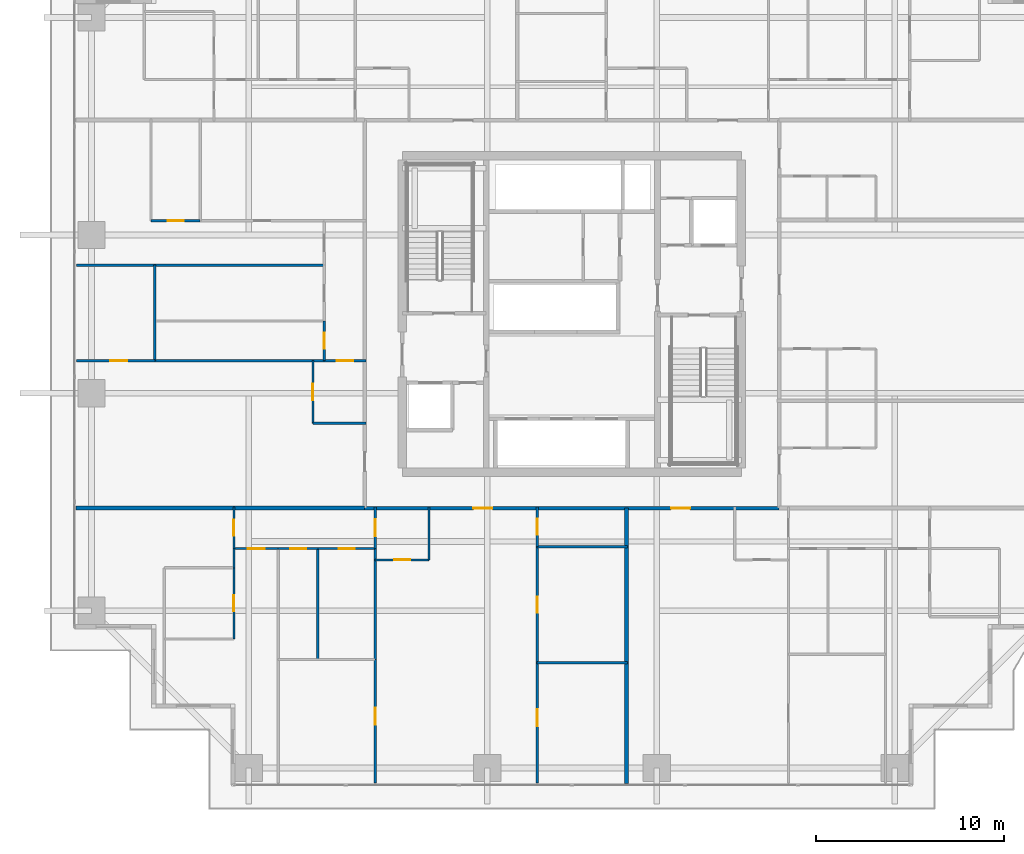
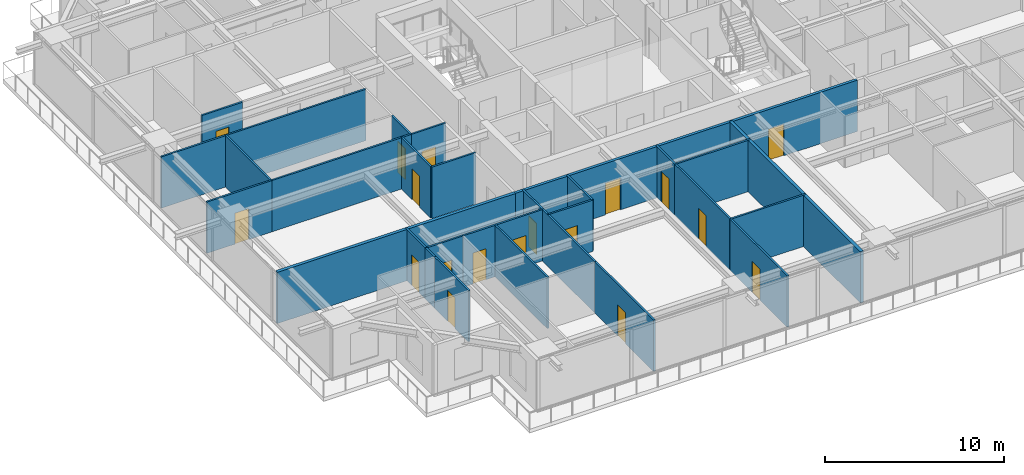
# One storey, part 27 of 38: 29 walls, 18 doors, 18 openings.
"""IFC4 building model written with IfcOpenShell, lengths in metres."""

from ifc_helpers import new_model, si_unit, direction, frame, frame_2d, origin, place, context, subcontext, project, spatial, rectangle, extrude, source, transform, mapped, material, layer, layer_set, type_object, element, fill, save


model = new_model("IFC4")

# Units and contexts
model_context = context("Model", 3, precision=1e-05, world=origin(), true_north=direction((0.0, 1.0)))
body_context = subcontext(model_context, "Body", "Model", "MODEL_VIEW")
ifc_project = project(units=[si_unit("LENGTHUNIT", "METRE"), si_unit("AREAUNIT", "SQUARE_METRE"), si_unit("VOLUMEUNIT", "CUBIC_METRE"), si_unit("PLANEANGLEUNIT", "RADIAN"), si_unit("MASSUNIT", "GRAM", prefix="KILO")], contexts=[model_context])

# Site, building, storey
site_placement = place(None, origin())
site = spatial("IfcSite", under=ifc_project, at=site_placement, CompositionType="ELEMENT")
building_placement = place(site_placement, origin())
building = spatial("IfcBuilding", under=site, at=building_placement, Name="Serunith Strait Residences", CompositionType="ELEMENT")
storey_placement = place(building_placement, frame((0.0, 0.0, 82.949951171875)))
storey = spatial("IfcBuildingStorey", under=building, at=storey_placement, Name="L20", CompositionType="ELEMENT", Elevation=82.949951171875)

# Wall, openings, doors
ifc_material_1 = material(Name="Fire-rated acoustic gypsum partition")
ifc_layer_1 = layer(ifc_material_1, 0.179931640625, Name="Fire-rated acoustic gypsum partition")
ifc_layer_set_1 = layer_set([ifc_layer_1], Name="Fire-rated acoustic gypsum partition")
wall_type_1 = type_object("IfcWallType", Name="IW-CORR-180", PredefinedType="PARTITIONING", material=ifc_layer_set_1)
wall_1_placement = place(storey_placement, frame((21.402099609375, 14.89990234375, 0.0), z_axis=(0.0, 0.0, 1.0), x_axis=(1.0, 0.0, 0.0)))
wall_1 = element("IfcWall", 1, at=wall_1_placement, inside=storey, type_object=wall_type_1, Name="L20 Partition Wall 023", PredefinedType="PARTITIONING", context=body_context, shape_type="SweptSolid", body=[
    extrude(rectangle(XDim=21.995849609375, YDim=0.179931640625, at=frame_2d((10.998046875, 0.0))), origin(), (0.0, 0.0, 1.0), 3.489990234375),
])
opening_1_placement = place(wall_1_placement, frame((5.77392578125, 0.0, 0.0)))
opening_1 = element("IfcOpeningElement", 2, at=opening_1_placement, cuts=wall_1, Name="Opening D-APT1000", PredefinedType="OPENING", context=body_context, shape_type="SweptSolid", body=[
    extrude(rectangle(XDim=1.0, YDim=2.14990234375, at=frame_2d((0.5, 1.074951171875))), frame((0.0, 0.10009765625, 0.0), z_axis=(0.0, -1.0, 0.0), x_axis=(1.0, 0.0, 0.0)), (0.0, 0.0, 1.0), 0.199951171875),
])
opening_2_placement = place(wall_1_placement, frame((16.27197265625, 0.0, 0.0)))
opening_2 = element("IfcOpeningElement", 3, at=opening_2_placement, cuts=wall_1, Name="Opening D-APT1000", PredefinedType="OPENING", context=body_context, shape_type="SweptSolid", body=[
    extrude(rectangle(XDim=1.0, YDim=2.14990234375, at=frame_2d((0.5, 1.074951171875))), frame((0.0, 0.10009765625, 0.0), z_axis=(0.0, -1.0, 0.0), x_axis=(1.0, 0.0, 0.0)), (0.0, 0.0, 1.0), 0.199951171875),
])
ifc_material_2 = material(Name="Solid timber engineered fire door", Category="wood")
door_type_1 = type_object("IfcDoorType", Name="ID-APT-1000", OperationType="NOTDEFINED", PredefinedType="DOOR", material=ifc_material_2)
shared_shape_1 = source(origin(), body_context, "Body", "SweptSolid", [
    extrude(rectangle(XDim=1.0, YDim=2.14990234375, at=frame_2d((0.5, 1.074951171875))), frame((0.0, 0.02490234375, 0.0), z_axis=(0.0, -1.0, 0.0), x_axis=(1.0, 0.0, 0.0)), (0.0, 0.0, 1.0), 0.050048828125),
])
door_1_placement = place(opening_1_placement, origin())
door_1 = element("IfcDoor", 4, at=door_1_placement, inside=storey, type_object=door_type_1, Name="L20 Unit 01 Entrance Door", OperationType="SINGLE_SWING_LEFT", OverallHeight=2.14990234375, OverallWidth=1.0, PredefinedType="DOOR", context=body_context, shape_type="MappedRepresentation", body=[
    mapped(shared_shape_1, transform((0.0, 0.0, 0.0), scale=1.0)),
])
fill(opening_1, door_1)
door_2_placement = place(opening_2_placement, origin())
door_2 = element("IfcDoor", 5, at=door_2_placement, inside=storey, type_object=door_type_1, Name="L20 Unit 02 Entrance Door", OperationType="SINGLE_SWING_RIGHT", OverallHeight=2.14990234375, OverallWidth=1.0, PredefinedType="DOOR", context=body_context, shape_type="MappedRepresentation", body=[
    mapped(shared_shape_1, transform((0.0, 0.0, 0.0), scale=1.0)),
])
fill(opening_2, door_2)

# Wall, opening, door
ifc_material_3 = material(Name="Lightweight steel-stud gypsum partition", Category="steel")
ifc_layer_2 = layer(ifc_material_3, 0.1201171875, Name="Lightweight steel-stud gypsum partition")
ifc_layer_set_2 = layer_set([ifc_layer_2], Name="Lightweight steel-stud gypsum partition")
wall_type_2 = type_object("IfcWallType", Name="IW-PART-120", PredefinedType="PARTITIONING", material=ifc_layer_set_2)
wall_2_placement = place(storey_placement, frame((21.9599609375, 12.14990234375, 0.0), z_axis=(0.0, 0.0, 1.0), x_axis=(1.0, 0.0, 0.0)))
wall_2 = element("IfcWall", 6, at=wall_2_placement, inside=storey, type_object=wall_type_2, Name="L20 Partition Wall 027", PredefinedType="PARTITIONING", context=body_context, shape_type="SweptSolid", body=[
    extrude(rectangle(XDim=2.85009765625, YDim=0.1201171875, at=frame_2d((1.425048828125, 0.0))), origin(), (0.0, 0.0, 1.0), 3.489990234375),
])
opening_3_placement = place(wall_2_placement, frame((1.0, 0.0, 0.0)))
opening_3 = element("IfcOpeningElement", 7, at=opening_3_placement, cuts=wall_2, Name="Opening D-RM850", PredefinedType="OPENING", context=body_context, shape_type="SweptSolid", body=[
    extrude(rectangle(XDim=0.85009765625, YDim=2.10009765625, at=frame_2d((0.425048828125, 1.050048828125))), frame((0.0, 0.070068359375, 0.0), z_axis=(0.0, -1.0, 0.0), x_axis=(1.0, 0.0, 0.0)), (0.0, 0.0, 1.0), 0.14013671875),
])
ifc_material_4 = material(Name="Engineered timber flush study and kitchen door", Category="wood")
door_type_2 = type_object("IfcDoorType", Name="ID-ROOM-850", OperationType="NOTDEFINED", PredefinedType="DOOR", material=ifc_material_4)
shared_shape_2 = source(origin(), body_context, "Body", "SweptSolid", [
    extrude(rectangle(XDim=0.85009765625, YDim=2.10009765625, at=frame_2d((0.425048828125, 1.050048828125))), frame((0.0, 0.02490234375, 0.0), z_axis=(0.0, -1.0, 0.0), x_axis=(1.0, 0.0, 0.0)), (0.0, 0.0, 1.0), 0.050048828125),
])
door_3_placement = place(opening_3_placement, origin())
door_3 = element("IfcDoor", 8, at=door_3_placement, inside=storey, type_object=door_type_2, Name="L20 Kitchen 2001 Door", OperationType="SINGLE_SWING_LEFT", OverallHeight=2.10009765625, OverallWidth=0.85009765625, PredefinedType="DOOR", context=body_context, shape_type="MappedRepresentation", body=[
    mapped(shared_shape_2, transform((0.0, 0.0, 0.0), scale=1.0)),
])
fill(opening_3, door_3)

# Wall
wall_3_placement = place(storey_placement, frame((24.81005859375, 12.14990234375, 0.0), z_axis=(0.0, 0.0, 1.0), x_axis=(0.0, 1.0, 0.0)))
element("IfcWall", 9, at=wall_3_placement, inside=storey, type_object=wall_type_2, Name="L20 Partition Wall 028", PredefinedType="PARTITIONING", context=body_context, shape_type="SweptSolid", body=[
    extrude(rectangle(XDim=2.81005859375, YDim=0.1201171875, at=frame_2d((1.405029296875, 0.0))), origin(), (0.0, 0.0, 1.0), 3.489990234375),
])

# Wall, opening, door
wall_4_placement = place(storey_placement, frame((21.9599609375, 12.75, 0.0), z_axis=(0.0, 0.0, 1.0), x_axis=(0.0, 1.0, 0.0)))
wall_4 = element("IfcWall", 10, at=wall_4_placement, inside=storey, type_object=wall_type_2, Name="L20 Partition Wall 029", PredefinedType="PARTITIONING", context=body_context, shape_type="SweptSolid", body=[
    extrude(rectangle(XDim=2.2099609375, YDim=0.1201171875, at=frame_2d((1.10498046875, 0.0))), origin(), (0.0, 0.0, 1.0), 3.489990234375),
])
opening_4_placement = place(wall_4_placement, frame((0.655029296875, 0.0, 0.0)))
opening_4 = element("IfcOpeningElement", 11, at=opening_4_placement, cuts=wall_4, Name="Opening D-RM900", PredefinedType="OPENING", context=body_context, shape_type="SweptSolid", body=[
    extrude(rectangle(XDim=0.89990234375, YDim=2.10009765625, at=frame_2d((0.449951171875, 1.050048828125))), frame((0.0, 0.070068359375, 0.0), z_axis=(0.0, -1.0, 0.0), x_axis=(1.0, 0.0, 0.0)), (0.0, 0.0, 1.0), 0.14013671875),
])
ifc_material_5 = material(Name="Engineered timber flush bedroom door", Category="wood")
door_type_3 = type_object("IfcDoorType", Name="ID-ROOM-900", OperationType="NOTDEFINED", PredefinedType="DOOR", material=ifc_material_5)
shared_shape_3 = source(origin(), body_context, "Body", "SweptSolid", [
    extrude(rectangle(XDim=0.89990234375, YDim=2.10009765625, at=frame_2d((0.449951171875, 1.050048828125))), frame((0.0, 0.02490234375, 0.0), z_axis=(0.0, -1.0, 0.0), x_axis=(1.0, 0.0, 0.0)), (0.0, 0.0, 1.0), 0.050048828125),
])
door_4_placement = place(opening_4_placement, origin())
door_4 = element("IfcDoor", 12, at=door_4_placement, inside=storey, type_object=door_type_3, Name="L20 Hall W 2001 Door", OperationType="SINGLE_SWING_RIGHT", OverallHeight=2.10009765625, OverallWidth=0.89990234375, PredefinedType="DOOR", context=body_context, shape_type="MappedRepresentation", body=[
    mapped(shared_shape_3, transform((0.0, 0.0, 0.0), scale=1.0)),
])
fill(opening_4, door_4)

wall_5_placement = place(storey_placement, frame((21.9599609375, 0.294921875, 0.0), z_axis=(0.0, 0.0, 1.0), x_axis=(0.0, 1.0, 0.0)))
wall_5 = element("IfcWall", 13, at=wall_5_placement, inside=storey, type_object=wall_type_2, Name="L20 Partition Wall 030", PredefinedType="PARTITIONING", context=body_context, shape_type="SweptSolid", body=[
    extrude(rectangle(XDim=6.565185546875, YDim=0.1201171875, at=frame_2d((3.28271484375, 0.0))), origin(), (0.0, 0.0, 1.0), 3.489990234375),
])
opening_5_placement = place(wall_5_placement, frame((3.115966796875, 0.0, 0.0)))
opening_5 = element("IfcOpeningElement", 14, at=opening_5_placement, cuts=wall_5, Name="Opening D-RM900", PredefinedType="OPENING", context=body_context, shape_type="SweptSolid", body=[
    extrude(rectangle(XDim=0.89990234375, YDim=2.10009765625, at=frame_2d((0.449951171875, 1.050048828125))), frame((0.0, 0.070068359375, 0.0), z_axis=(0.0, -1.0, 0.0), x_axis=(1.0, 0.0, 0.0)), (0.0, 0.0, 1.0), 0.14013671875),
])
door_5_placement = place(opening_5_placement, origin())
door_5 = element("IfcDoor", 15, at=door_5_placement, inside=storey, type_object=door_type_3, Name="L20 Formal Dining Room 1 2001 Door", OperationType="SINGLE_SWING_LEFT", OverallHeight=2.10009765625, OverallWidth=0.89990234375, PredefinedType="DOOR", context=body_context, shape_type="MappedRepresentation", body=[
    mapped(shared_shape_3, transform((0.0, 0.0, 0.0), scale=1.0)),
])
fill(opening_5, door_5)

# Walls
wall_6_placement = place(storey_placement, frame((21.9599609375, 6.862060546875, 0.0), z_axis=(0.0, 0.0, 1.0), x_axis=(0.0, 1.0, 0.0)))
element("IfcWall", 16, at=wall_6_placement, inside=storey, type_object=wall_type_2, Name="L20 Partition Wall 031", PredefinedType="PARTITIONING", context=body_context, shape_type="SweptSolid", body=[
    extrude(rectangle(XDim=5.885986328125, YDim=0.1201171875, at=frame_2d((2.94287109375, 0.0))), origin(), (0.0, 0.0, 1.0), 3.489990234375),
])
wall_7_placement = place(storey_placement, frame((18.909912109375, 6.860107421875, 0.0), z_axis=(0.0, 0.0, 1.0), x_axis=(0.0, 1.0, 0.0)))
element("IfcWall", 17, at=wall_7_placement, inside=storey, type_object=wall_type_2, Name="L20 Partition Wall 034", PredefinedType="PARTITIONING", context=body_context, shape_type="SweptSolid", body=[
    extrude(rectangle(XDim=5.889892578125, YDim=0.1201171875, at=frame_2d((2.94482421875, 0.0))), origin(), (0.0, 0.0, 1.0), 3.489990234375),
])

# Wall, opening, door
wall_8_placement = place(storey_placement, frame((16.81005859375, 12.75, 0.0), z_axis=(0.0, 0.0, 1.0), x_axis=(1.0, 0.0, 0.0)))
wall_8 = element("IfcWall", 18, at=wall_8_placement, inside=storey, type_object=wall_type_2, Name="L20 Partition Wall 035", PredefinedType="PARTITIONING", context=body_context, shape_type="SweptSolid", body=[
    extrude(rectangle(XDim=2.099853515625, YDim=0.1201171875, at=frame_2d((1.0498046875, 0.0))), origin(), (0.0, 0.0, 1.0), 3.489990234375),
])
opening_6_placement = place(wall_8_placement, frame((0.625, 0.0, 0.0)))
opening_6 = element("IfcOpeningElement", 19, at=opening_6_placement, cuts=wall_8, Name="Opening D-BTH850", PredefinedType="OPENING", context=body_context, shape_type="SweptSolid", body=[
    extrude(rectangle(XDim=0.85009765625, YDim=2.10009765625, at=frame_2d((0.425048828125, 1.050048828125))), frame((0.0, 0.070068359375, 0.0), z_axis=(0.0, -1.0, 0.0), x_axis=(1.0, 0.0, 0.0)), (0.0, 0.0, 1.0), 0.14013671875),
])
ifc_material_6 = material(Name="Moisture-resistant timber bathroom door", Category="wood")
door_type_4 = type_object("IfcDoorType", Name="ID-BATH-850", OperationType="NOTDEFINED", PredefinedType="DOOR", material=ifc_material_6)
door_6_placement = place(opening_6_placement, origin())
door_6 = element("IfcDoor", 20, at=door_6_placement, inside=storey, type_object=door_type_4, Name="L20 Bathroom 2001 Door", OperationType="SINGLE_SWING_RIGHT", OverallHeight=2.10009765625, OverallWidth=0.85009765625, PredefinedType="DOOR", context=body_context, shape_type="MappedRepresentation", body=[
    mapped(shared_shape_2, transform((0.0, 0.0, 0.0), scale=1.0)),
])
fill(opening_6, door_6)

wall_9_placement = place(storey_placement, frame((18.912109375, 12.75, 0.0), z_axis=(0.0, 0.0, 1.0), x_axis=(1.0, 0.0, 0.0)))
wall_9 = element("IfcWall", 21, at=wall_9_placement, inside=storey, type_object=wall_type_2, Name="L20 Partition Wall 036", PredefinedType="PARTITIONING", context=body_context, shape_type="SweptSolid", body=[
    extrude(rectangle(XDim=3.0478515625, YDim=0.1201171875, at=frame_2d((1.52392578125, 0.0))), origin(), (0.0, 0.0, 1.0), 3.489990234375),
])
opening_7_placement = place(wall_9_placement, frame((1.09912109375, 0.0, 0.0)))
opening_7 = element("IfcOpeningElement", 22, at=opening_7_placement, cuts=wall_9, Name="Opening D-RM850", PredefinedType="OPENING", context=body_context, shape_type="SweptSolid", body=[
    extrude(rectangle(XDim=0.85009765625, YDim=2.10009765625, at=frame_2d((0.425048828125, 1.050048828125))), frame((0.0, 0.070068359375, 0.0), z_axis=(0.0, -1.0, 0.0), x_axis=(1.0, 0.0, 0.0)), (0.0, 0.0, 1.0), 0.14013671875),
])
door_7_placement = place(opening_7_placement, origin())
door_7 = element("IfcDoor", 23, at=door_7_placement, inside=storey, type_object=door_type_2, Name="L20 Formal Dining Room 2001 Door", OperationType="SINGLE_SWING_LEFT", OverallHeight=2.10009765625, OverallWidth=0.85009765625, PredefinedType="DOOR", context=body_context, shape_type="MappedRepresentation", body=[
    mapped(shared_shape_2, transform((0.0, 0.0, 0.0), scale=1.0)),
])
fill(opening_7, door_7)

wall_10_placement = place(storey_placement, frame((14.4599609375, 12.75, 0.0), z_axis=(0.0, 0.0, 1.0), x_axis=(1.0, 0.0, 0.0)))
wall_10 = element("IfcWall", 24, at=wall_10_placement, inside=storey, type_object=wall_type_2, Name="L20 Partition Wall 037", PredefinedType="PARTITIONING", context=body_context, shape_type="SweptSolid", body=[
    extrude(rectangle(XDim=2.34814453125, YDim=0.1201171875, at=frame_2d((1.174072265625, 0.0))), origin(), (0.0, 0.0, 1.0), 3.489990234375),
])
opening_8_placement = place(wall_10_placement, frame((0.72412109375, 0.0, 0.0)))
opening_8 = element("IfcOpeningElement", 25, at=opening_8_placement, cuts=wall_10, Name="Opening D-RM900", PredefinedType="OPENING", context=body_context, shape_type="SweptSolid", body=[
    extrude(rectangle(XDim=0.89990234375, YDim=2.10009765625, at=frame_2d((0.449951171875, 1.050048828125))), frame((0.0, 0.070068359375, 0.0), z_axis=(0.0, -1.0, 0.0), x_axis=(1.0, 0.0, 0.0)), (0.0, 0.0, 1.0), 0.14013671875),
])
door_8_placement = place(opening_8_placement, origin())
door_8 = element("IfcDoor", 26, at=door_8_placement, inside=storey, type_object=door_type_3, Name="L20 Master Bedroom W 2001 Door", OperationType="SINGLE_SWING_RIGHT", OverallHeight=2.10009765625, OverallWidth=0.89990234375, PredefinedType="DOOR", context=body_context, shape_type="MappedRepresentation", body=[
    mapped(shared_shape_3, transform((0.0, 0.0, 0.0), scale=1.0)),
])
fill(opening_8, door_8)

wall_11_placement = place(storey_placement, frame((14.4599609375, 7.947998046875, 0.0), z_axis=(0.0, 0.0, 1.0), x_axis=(0.0, 1.0, 0.0)))
wall_11 = element("IfcWall", 27, at=wall_11_placement, inside=storey, type_object=wall_type_2, Name="L20 Partition Wall 041", PredefinedType="PARTITIONING", context=body_context, shape_type="SweptSolid", body=[
    extrude(rectangle(XDim=3.783935546875, YDim=0.1201171875, at=frame_2d((1.89208984375, 0.0))), origin(), (0.0, 0.0, 1.0), 3.489990234375),
])
opening_9_placement = place(wall_11_placement, frame((1.467041015625, 0.0, 0.0)))
opening_9 = element("IfcOpeningElement", 28, at=opening_9_placement, cuts=wall_11, Name="Opening D-BTH850", PredefinedType="OPENING", context=body_context, shape_type="SweptSolid", body=[
    extrude(rectangle(XDim=0.85009765625, YDim=2.10009765625, at=frame_2d((0.425048828125, 1.050048828125))), frame((0.0, 0.070068359375, 0.0), z_axis=(0.0, -1.0, 0.0), x_axis=(1.0, 0.0, 0.0)), (0.0, 0.0, 1.0), 0.14013671875),
])
door_9_placement = place(opening_9_placement, origin())
door_9 = element("IfcDoor", 29, at=door_9_placement, inside=storey, type_object=door_type_4, Name="L20 En-suite Bathroom W 2001 Door", OperationType="SINGLE_SWING_LEFT", OverallHeight=2.10009765625, OverallWidth=0.85009765625, PredefinedType="DOOR", context=body_context, shape_type="MappedRepresentation", body=[
    mapped(shared_shape_2, transform((0.0, 0.0, 0.0), scale=1.0)),
])
fill(opening_9, door_9)

# Wall
wall_12_placement = place(storey_placement, frame((14.4599609375, 11.73388671875, 0.0), z_axis=(0.0, 0.0, 1.0), x_axis=(0.0, 1.0, 0.0)))
element("IfcWall", 30, at=wall_12_placement, inside=storey, type_object=wall_type_2, Name="L20 Partition Wall 042", PredefinedType="PARTITIONING", context=body_context, shape_type="SweptSolid", body=[
    extrude(rectangle(XDim=1.01611328125, YDim=0.1201171875, at=frame_2d((0.508056640625, 0.0))), origin(), (0.0, 0.0, 1.0), 3.489990234375),
])

# Wall, opening, door
wall_13_placement = place(storey_placement, frame((14.4599609375, 12.751953125, 0.0), z_axis=(0.0, 0.0, 1.0), x_axis=(0.0, 1.0, 0.0)))
wall_13 = element("IfcWall", 31, at=wall_13_placement, inside=storey, type_object=wall_type_2, Name="L20 Partition Wall 043", PredefinedType="PARTITIONING", context=body_context, shape_type="SweptSolid", body=[
    extrude(rectangle(XDim=2.2080078125, YDim=0.1201171875, at=frame_2d((1.10400390625, 0.0))), origin(), (0.0, 0.0, 1.0), 3.489990234375),
])
opening_10_placement = place(wall_13_placement, frame((0.678955078125, 0.0, 0.0)))
opening_10 = element("IfcOpeningElement", 32, at=opening_10_placement, cuts=wall_13, Name="Opening D-RM850", PredefinedType="OPENING", context=body_context, shape_type="SweptSolid", body=[
    extrude(rectangle(XDim=0.85009765625, YDim=2.10009765625, at=frame_2d((0.425048828125, 1.050048828125))), frame((0.0, 0.070068359375, 0.0), z_axis=(0.0, -1.0, 0.0), x_axis=(1.0, 0.0, 0.0)), (0.0, 0.0, 1.0), 0.14013671875),
])
door_10_placement = place(opening_10_placement, origin())
door_10 = element("IfcDoor", 33, at=door_10_placement, inside=storey, type_object=door_type_2, Name="L20 Wardrobe W 2001 Door", OperationType="SINGLE_SWING_RIGHT", OverallHeight=2.10009765625, OverallWidth=0.85009765625, PredefinedType="DOOR", context=body_context, shape_type="MappedRepresentation", body=[
    mapped(shared_shape_2, transform((0.0, 0.0, 0.0), scale=1.0)),
])
fill(opening_10, door_10)

wall_14_placement = place(storey_placement, frame((30.56005859375, 0.294921875, 0.0), z_axis=(0.0, 0.0, 1.0), x_axis=(0.0, 1.0, 0.0)))
wall_14 = element("IfcWall", 34, at=wall_14_placement, inside=storey, type_object=wall_type_2, Name="L20 Partition Wall 044", PredefinedType="PARTITIONING", context=body_context, shape_type="SweptSolid", body=[
    extrude(rectangle(XDim=6.39697265625, YDim=0.1201171875, at=frame_2d((3.198486328125, 0.0))), origin(), (0.0, 0.0, 1.0), 3.489990234375),
])
opening_11_placement = place(wall_14_placement, frame((3.02294921875, 0.0, 0.0)))
opening_11 = element("IfcOpeningElement", 35, at=opening_11_placement, cuts=wall_14, Name="Opening D-RM900", PredefinedType="OPENING", context=body_context, shape_type="SweptSolid", body=[
    extrude(rectangle(XDim=0.89990234375, YDim=2.10009765625, at=frame_2d((0.449951171875, 1.050048828125))), frame((0.0, 0.070068359375, 0.0), z_axis=(0.0, -1.0, 0.0), x_axis=(1.0, 0.0, 0.0)), (0.0, 0.0, 1.0), 0.14013671875),
])
door_11_placement = place(opening_11_placement, origin())
door_11 = element("IfcDoor", 36, at=door_11_placement, inside=storey, type_object=door_type_3, Name="L20 Bedroom 3 2001 Door", OperationType="SINGLE_SWING_LEFT", OverallHeight=2.10009765625, OverallWidth=0.89990234375, PredefinedType="DOOR", context=body_context, shape_type="MappedRepresentation", body=[
    mapped(shared_shape_3, transform((0.0, 0.0, 0.0), scale=1.0)),
])
fill(opening_11, door_11)

# Walls
for number, where, z_axis, x_axis, name in (
    (37, (30.56005859375, 6.69189453125, 0.0), (0.0, 0.0, 1.0), (1.0, 0.0, 0.0), "L20 Partition Wall 045"),
    (38, (30.56005859375, 12.85009765625, 0.0), (0.0, 0.0, 1.0), (1.0, 0.0, 0.0), "L20 Partition Wall 046"),
):
    element("IfcWall", number, at=place(storey_placement, frame(where, z_axis=z_axis, x_axis=x_axis)), inside=storey, type_object=wall_type_2, Name=name, PredefinedType="PARTITIONING", context=body_context, shape_type="SweptSolid", body=[
        extrude(rectangle(XDim=4.800048828125, YDim=0.1201171875, at=frame_2d((2.39990234375, 0.0))), origin(), (0.0, 0.0, 1.0), 3.489990234375),
    ])

# Wall, opening, door
wall_15_placement = place(storey_placement, frame((30.56005859375, 6.694091796875, 0.0), z_axis=(0.0, 0.0, 1.0), x_axis=(0.0, 1.0, 0.0)))
wall_15 = element("IfcWall", 39, at=wall_15_placement, inside=storey, type_object=wall_type_2, Name="L20 Partition Wall 047", PredefinedType="PARTITIONING", context=body_context, shape_type="SweptSolid", body=[
    extrude(rectangle(XDim=6.156005859375, YDim=0.1201171875, at=frame_2d((3.078125, 0.0))), origin(), (0.0, 0.0, 1.0), 3.489990234375),
])
opening_12_placement = place(wall_15_placement, frame((2.653076171875, 0.0, 0.0)))
opening_12 = element("IfcOpeningElement", 40, at=opening_12_placement, cuts=wall_15, Name="Opening D-RM850", PredefinedType="OPENING", context=body_context, shape_type="SweptSolid", body=[
    extrude(rectangle(XDim=0.85009765625, YDim=2.10009765625, at=frame_2d((0.425048828125, 1.050048828125))), frame((0.0, 0.070068359375, 0.0), z_axis=(0.0, -1.0, 0.0), x_axis=(1.0, 0.0, 0.0)), (0.0, 0.0, 1.0), 0.14013671875),
])
door_12_placement = place(opening_12_placement, origin())
door_12 = element("IfcDoor", 41, at=door_12_placement, inside=storey, type_object=door_type_2, Name="L20 Walk-in Wardrobe 2001 Door", OperationType="SINGLE_SWING_RIGHT", OverallHeight=2.10009765625, OverallWidth=0.85009765625, PredefinedType="DOOR", context=body_context, shape_type="MappedRepresentation", body=[
    mapped(shared_shape_2, transform((0.0, 0.0, 0.0), scale=1.0)),
])
fill(opening_12, door_12)

wall_16_placement = place(storey_placement, frame((30.56005859375, 12.85205078125, 0.0), z_axis=(0.0, 0.0, 1.0), x_axis=(0.0, 1.0, 0.0)))
wall_16 = element("IfcWall", 42, at=wall_16_placement, inside=storey, type_object=wall_type_2, Name="L20 Partition Wall 048", PredefinedType="PARTITIONING", context=body_context, shape_type="SweptSolid", body=[
    extrude(rectangle(XDim=2.10791015625, YDim=0.1201171875, at=frame_2d((1.053955078125, 0.0))), origin(), (0.0, 0.0, 1.0), 3.489990234375),
])
opening_13_placement = place(wall_16_placement, frame((0.62890625, 0.0, 0.0)))
opening_13 = element("IfcOpeningElement", 43, at=opening_13_placement, cuts=wall_16, Name="Opening D-BTH850", PredefinedType="OPENING", context=body_context, shape_type="SweptSolid", body=[
    extrude(rectangle(XDim=0.85009765625, YDim=2.10009765625, at=frame_2d((0.425048828125, 1.050048828125))), frame((0.0, 0.070068359375, 0.0), z_axis=(0.0, -1.0, 0.0), x_axis=(1.0, 0.0, 0.0)), (0.0, 0.0, 1.0), 0.14013671875),
])
door_13_placement = place(opening_13_placement, origin())
door_13 = element("IfcDoor", 44, at=door_13_placement, inside=storey, type_object=door_type_4, Name="L20 Bathroom 2001 Door", OperationType="SINGLE_SWING_LEFT", OverallHeight=2.10009765625, OverallWidth=0.85009765625, PredefinedType="DOOR", context=body_context, shape_type="MappedRepresentation", body=[
    mapped(shared_shape_2, transform((0.0, 0.0, 0.0), scale=1.0)),
])
fill(opening_13, door_13)

wall_17_placement = place(storey_placement, frame((18.64990234375, 19.39990234375, 0.0), z_axis=(0.0, 0.0, 1.0), x_axis=(0.0, 1.0, 0.0)))
wall_17 = element("IfcWall", 45, at=wall_17_placement, inside=storey, type_object=wall_type_2, Name="L20 Partition Wall 103", PredefinedType="PARTITIONING", context=body_context, shape_type="SweptSolid", body=[
    extrude(rectangle(XDim=3.330078125, YDim=0.1201171875, at=frame_2d((1.6650390625, 0.0))), origin(), (0.0, 0.0, 1.0), 3.489990234375),
])
opening_14_placement = place(wall_17_placement, frame((1.239990234375, 0.0, 0.0)))
opening_14 = element("IfcOpeningElement", 46, at=opening_14_placement, cuts=wall_17, Name="Opening D-RM850", PredefinedType="OPENING", context=body_context, shape_type="SweptSolid", body=[
    extrude(rectangle(XDim=0.85009765625, YDim=2.10009765625, at=frame_2d((0.425048828125, 1.050048828125))), frame((0.0, 0.070068359375, 0.0), z_axis=(0.0, -1.0, 0.0), x_axis=(1.0, 0.0, 0.0)), (0.0, 0.0, 1.0), 0.14013671875),
])
door_14_placement = place(opening_14_placement, origin())
door_14 = element("IfcDoor", 47, at=door_14_placement, inside=storey, type_object=door_type_2, Name="L20 Kitchen 2005 Door", OperationType="SINGLE_SWING_LEFT", OverallHeight=2.10009765625, OverallWidth=0.85009765625, PredefinedType="DOOR", context=body_context, shape_type="MappedRepresentation", body=[
    mapped(shared_shape_2, transform((0.0, 0.0, 0.0), scale=1.0)),
])
fill(opening_14, door_14)

# Wall
wall_18_placement = place(storey_placement, frame((18.64990234375, 19.39990234375, 0.0), z_axis=(0.0, 0.0, 1.0), x_axis=(1.0, 0.0, 0.0)))
element("IfcWall", 48, at=wall_18_placement, inside=storey, type_object=wall_type_2, Name="L20 Partition Wall 104", PredefinedType="PARTITIONING", context=body_context, shape_type="SweptSolid", body=[
    extrude(rectangle(XDim=2.81005859375, YDim=0.1201171875, at=frame_2d((1.405029296875, 0.0))), origin(), (0.0, 0.0, 1.0), 3.489990234375),
])

# Wall, opening, door
wall_19_placement = place(storey_placement, frame((19.25, 22.72998046875, 0.0), z_axis=(0.0, 0.0, 1.0), x_axis=(1.0, 0.0, 0.0)))
wall_19 = element("IfcWall", 49, at=wall_19_placement, inside=storey, type_object=wall_type_2, Name="L20 Partition Wall 105", PredefinedType="PARTITIONING", context=body_context, shape_type="SweptSolid", body=[
    extrude(rectangle(XDim=2.2099609375, YDim=0.1201171875, at=frame_2d((1.10498046875, 0.0))), origin(), (0.0, 0.0, 1.0), 3.489990234375),
])
opening_15_placement = place(wall_19_placement, frame((0.655029296875, 0.0, 0.0)))
opening_15 = element("IfcOpeningElement", 50, at=opening_15_placement, cuts=wall_19, Name="Opening D-RM900", PredefinedType="OPENING", context=body_context, shape_type="SweptSolid", body=[
    extrude(rectangle(XDim=0.89990234375, YDim=2.10009765625, at=frame_2d((0.449951171875, 1.050048828125))), frame((0.0, 0.070068359375, 0.0), z_axis=(0.0, -1.0, 0.0), x_axis=(1.0, 0.0, 0.0)), (0.0, 0.0, 1.0), 0.14013671875),
])
door_15_placement = place(opening_15_placement, origin())
door_15 = element("IfcDoor", 51, at=door_15_placement, inside=storey, type_object=door_type_3, Name="L20 Hall E 2005 Door", OperationType="SINGLE_SWING_RIGHT", OverallHeight=2.10009765625, OverallWidth=0.89990234375, PredefinedType="DOOR", context=body_context, shape_type="MappedRepresentation", body=[
    mapped(shared_shape_3, transform((0.0, 0.0, 0.0), scale=1.0)),
])
fill(opening_15, door_15)

wall_20_placement = place(storey_placement, frame((6.094970703125, 22.72998046875, 0.0), z_axis=(0.0, 0.0, 1.0), x_axis=(1.0, 0.0, 0.0)))
wall_20 = element("IfcWall", 52, at=wall_20_placement, inside=storey, type_object=wall_type_2, Name="L20 Partition Wall 106", PredefinedType="PARTITIONING", context=body_context, shape_type="SweptSolid", body=[
    extrude(rectangle(XDim=4.1650390625, YDim=0.1201171875, at=frame_2d((2.08251953125, 0.0))), origin(), (0.0, 0.0, 1.0), 3.489990234375),
])
opening_16_placement = place(wall_20_placement, frame((1.7958984375, 0.0, 0.0)))
opening_16 = element("IfcOpeningElement", 53, at=opening_16_placement, cuts=wall_20, Name="Opening D-RM900", PredefinedType="OPENING", context=body_context, shape_type="SweptSolid", body=[
    extrude(rectangle(XDim=0.89990234375, YDim=2.10009765625, at=frame_2d((0.449951171875, 1.050048828125))), frame((0.0, 0.070068359375, 0.0), z_axis=(0.0, -1.0, 0.0), x_axis=(1.0, 0.0, 0.0)), (0.0, 0.0, 1.0), 0.14013671875),
])
door_16_placement = place(opening_16_placement, origin())
door_16 = element("IfcDoor", 54, at=door_16_placement, inside=storey, type_object=door_type_3, Name="L20 Study 1 2005 Door", OperationType="SINGLE_SWING_LEFT", OverallHeight=2.10009765625, OverallWidth=0.89990234375, PredefinedType="DOOR", context=body_context, shape_type="MappedRepresentation", body=[
    mapped(shared_shape_3, transform((0.0, 0.0, 0.0), scale=1.0)),
])
fill(opening_16, door_16)

# Walls
wall_21_placement = place(storey_placement, frame((10.261962890625, 22.72998046875, 0.0), z_axis=(0.0, 0.0, 1.0), x_axis=(1.0, 0.0, 0.0)))
element("IfcWall", 55, at=wall_21_placement, inside=storey, type_object=wall_type_2, Name="L20 Partition Wall 107", PredefinedType="PARTITIONING", context=body_context, shape_type="SweptSolid", body=[
    extrude(rectangle(XDim=8.986083984375, YDim=0.1201171875, at=frame_2d((4.4931640625, 0.0))), origin(), (0.0, 0.0, 1.0), 3.489990234375),
])
wall_22_placement = place(storey_placement, frame((10.260009765625, 22.72998046875, 0.0), z_axis=(0.0, 0.0, 1.0), x_axis=(0.0, 1.0, 0.0)))
element("IfcWall", 56, at=wall_22_placement, inside=storey, type_object=wall_type_2, Name="L20 Partition Wall 108", PredefinedType="PARTITIONING", context=body_context, shape_type="SweptSolid", body=[
    extrude(rectangle(XDim=5.070068359375, YDim=0.1201171875, at=frame_2d((2.53515625, 0.0))), origin(), (0.0, 0.0, 1.0), 3.489990234375),
])
wall_23_placement = place(storey_placement, frame((6.094970703125, 27.800048828125, 0.0), z_axis=(0.0, 0.0, 1.0), x_axis=(1.0, 0.0, 0.0)))
element("IfcWall", 57, at=wall_23_placement, inside=storey, type_object=wall_type_2, Name="L20 Partition Wall 109", PredefinedType="PARTITIONING", context=body_context, shape_type="SweptSolid", body=[
    extrude(rectangle(XDim=13.155029296875, YDim=0.1201171875, at=frame_2d((6.57763671875, 0.0))), origin(), (0.0, 0.0, 1.0), 3.489990234375),
])

# Wall, opening, door
wall_24_placement = place(storey_placement, frame((19.25, 22.72998046875, 0.0), z_axis=(0.0, 0.0, 1.0), x_axis=(0.0, 1.0, 0.0)))
wall_24 = element("IfcWall", 58, at=wall_24_placement, inside=storey, type_object=wall_type_2, Name="L20 Partition Wall 111", PredefinedType="PARTITIONING", context=body_context, shape_type="SweptSolid", body=[
    extrude(rectangle(XDim=2.10009765625, YDim=0.1201171875, at=frame_2d((1.050048828125, 0.0))), origin(), (0.0, 0.0, 1.0), 3.489990234375),
])
opening_17_placement = place(wall_24_placement, frame((0.625, 0.0, 0.0)))
opening_17 = element("IfcOpeningElement", 59, at=opening_17_placement, cuts=wall_24, Name="Opening D-BTH850", PredefinedType="OPENING", context=body_context, shape_type="SweptSolid", body=[
    extrude(rectangle(XDim=0.85009765625, YDim=2.10009765625, at=frame_2d((0.425048828125, 1.050048828125))), frame((0.0, 0.070068359375, 0.0), z_axis=(0.0, -1.0, 0.0), x_axis=(1.0, 0.0, 0.0)), (0.0, 0.0, 1.0), 0.14013671875),
])
door_17_placement = place(opening_17_placement, origin())
door_17 = element("IfcDoor", 60, at=door_17_placement, inside=storey, type_object=door_type_4, Name="L20 Bathroom 2005 Door", OperationType="SINGLE_SWING_RIGHT", OverallHeight=2.10009765625, OverallWidth=0.85009765625, PredefinedType="DOOR", context=body_context, shape_type="MappedRepresentation", body=[
    mapped(shared_shape_2, transform((0.0, 0.0, 0.0), scale=1.0)),
])
fill(opening_17, door_17)

wall_25_placement = place(storey_placement, frame((10.050048828125, 30.14990234375, 0.0), z_axis=(0.0, 0.0, 1.0), x_axis=(1.0, 0.0, 0.0)))
wall_25 = element("IfcWall", 61, at=wall_25_placement, inside=storey, type_object=wall_type_2, Name="L20 Partition Wall 116", PredefinedType="PARTITIONING", context=body_context, shape_type="SweptSolid", body=[
    extrude(rectangle(XDim=2.616943359375, YDim=0.1201171875, at=frame_2d((1.30859375, 0.0))), origin(), (0.0, 0.0, 1.0), 3.489990234375),
])
opening_18_placement = place(wall_25_placement, frame((0.883056640625, 0.0, 0.0)))
opening_18 = element("IfcOpeningElement", 62, at=opening_18_placement, cuts=wall_25, Name="Opening D-BTH850", PredefinedType="OPENING", context=body_context, shape_type="SweptSolid", body=[
    extrude(rectangle(XDim=0.85009765625, YDim=2.10009765625, at=frame_2d((0.425048828125, 1.050048828125))), frame((0.0, 0.070068359375, 0.0), z_axis=(0.0, -1.0, 0.0), x_axis=(1.0, 0.0, 0.0)), (0.0, 0.0, 1.0), 0.14013671875),
])
door_18_placement = place(opening_18_placement, origin())
door_18 = element("IfcDoor", 63, at=door_18_placement, inside=storey, type_object=door_type_4, Name="L20 En-suite Bathroom E 2005 Door", OperationType="SINGLE_SWING_LEFT", OverallHeight=2.10009765625, OverallWidth=0.85009765625, PredefinedType="DOOR", context=body_context, shape_type="MappedRepresentation", body=[
    mapped(shared_shape_2, transform((0.0, 0.0, 0.0), scale=1.0)),
])
fill(opening_18, door_18)

# Walls
ifc_material_7 = material(Name="Twin-stud acoustic gypsum board partition")
ifc_layer_3 = layer(ifc_material_7, 0.199951171875, Name="Twin-stud acoustic gypsum board partition")
ifc_layer_set_3 = layer_set([ifc_layer_3], Name="Twin-stud acoustic gypsum board partition")
wall_type_3 = type_object("IfcWallType", Name="IW-PARTY-200", PredefinedType="PARTITIONING", material=ifc_layer_set_3)
wall_26_placement = place(storey_placement, frame((35.300048828125, 0.281982421875, 0.0), z_axis=(0.0, 0.0, 1.0), x_axis=(0.0, 1.0, 0.0)))
element("IfcWall", 64, at=wall_26_placement, inside=storey, type_object=wall_type_3, Name="L20 Partition Wall 015", PredefinedType="PARTITIONING", context=body_context, shape_type="SweptSolid", body=[
    extrude(rectangle(XDim=14.617919921875, YDim=0.199951171875, at=frame_2d((7.30908203125, 0.0))), origin(), (0.0, 0.0, 1.0), 3.489990234375),
])
wall_27_placement = place(storey_placement, frame((6.08203125, 14.89990234375, 0.0), z_axis=(0.0, 0.0, 1.0), x_axis=(1.0, 0.0, 0.0)))
element("IfcWall", 65, at=wall_27_placement, inside=storey, type_object=wall_type_3, Name="L20 Partition Wall 019", PredefinedType="PARTITIONING", context=body_context, shape_type="SweptSolid", body=[
    extrude(rectangle(XDim=15.31787109375, YDim=0.199951171875, at=frame_2d((7.658935546875, 0.0))), origin(), (0.0, 0.0, 1.0), 3.489990234375),
])

save(model, "model.ifc")
